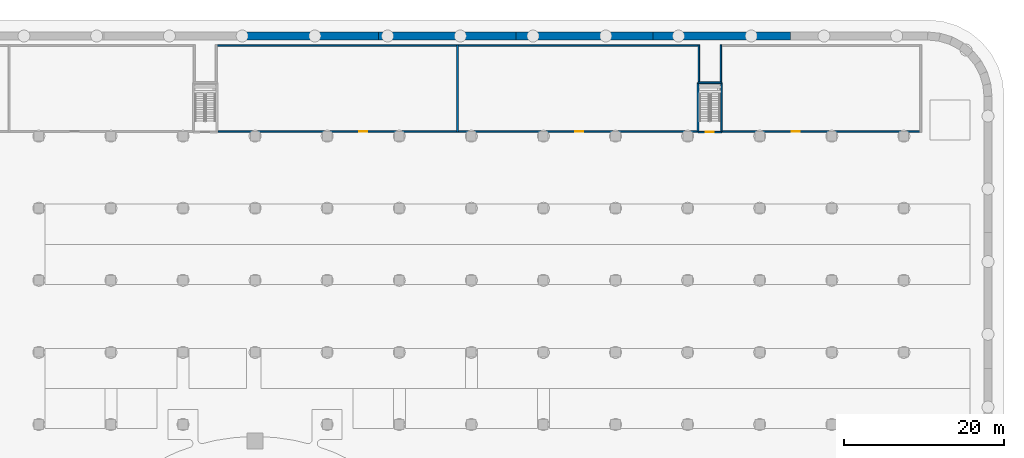
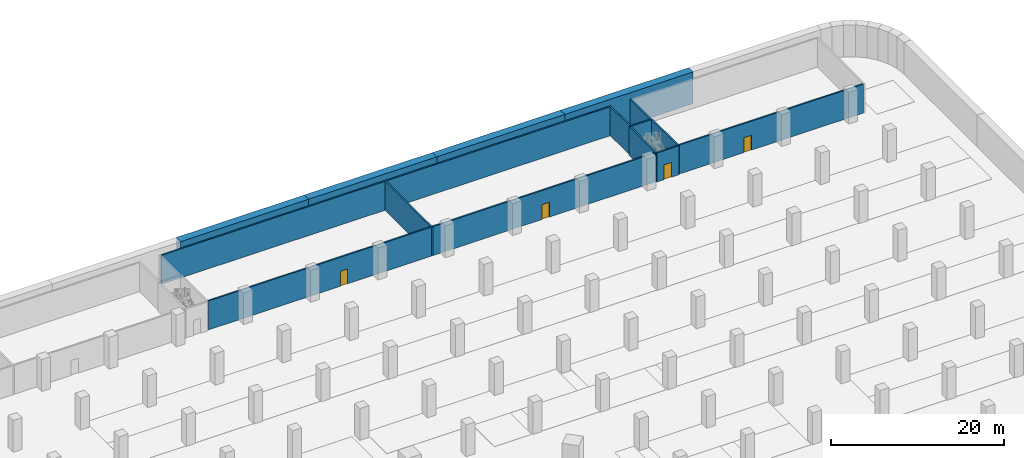
# One storey, part 22 of 39: 16 walls, 4 doors, 4 openings.
"""IFC4 building model written with IfcOpenShell, lengths in metres."""

from ifc_helpers import new_model, si_unit, direction, frame, frame_2d, origin, place, context, subcontext, project, spatial, rectangle, extrude, material, layer, layer_set, type_object, element, fill, save


model = new_model("IFC4")

# Units and contexts
model_context = context("Model", 3, precision=1e-05, world=origin(), true_north=direction((0.0, 1.0)))
body_context = subcontext(model_context, "Body", "Model", "MODEL_VIEW")
ifc_project = project(units=[si_unit("LENGTHUNIT", "METRE"), si_unit("AREAUNIT", "SQUARE_METRE"), si_unit("VOLUMEUNIT", "CUBIC_METRE"), si_unit("PLANEANGLEUNIT", "RADIAN"), si_unit("MASSUNIT", "GRAM", prefix="KILO")], contexts=[model_context])

# Site, building, storey
site_placement = place(None, origin())
site = spatial("IfcSite", under=ifc_project, at=site_placement, CompositionType="ELEMENT")
building_placement = place(site_placement, origin())
building = spatial("IfcBuilding", under=site, at=building_placement, Name="Ogive Gate Towers", CompositionType="ELEMENT")
storey_placement = place(building_placement, frame((0.0, 0.0, -9.0)))
storey = spatial("IfcBuildingStorey", under=building, at=storey_placement, Name="B2", CompositionType="ELEMENT", Elevation=-9.0)

# Wall, opening, door
ifc_material_1 = material(Name="Reinforced concrete C32/40", Category="concrete")
ifc_layer_1 = layer(ifc_material_1, 0.199951171875)
ifc_layer_set_1 = layer_set([ifc_layer_1], Name="Car park stair shaft wall 200")
wall_type_1 = type_object("IfcWallType", Name="Car park stair shaft wall 200", PredefinedType="SOLIDWALL", material=ifc_layer_set_1)
wall_1_placement = place(storey_placement, frame((94.25, 63.5, 0.0), z_axis=(0.0, 0.0, 1.0), x_axis=(-1.0, 0.0, 0.0)))
wall_1 = element("IfcWall", 1, at=wall_1_placement, inside=storey, type_object=wall_type_1, Name="CS4 stair shaft wall B2 1", PredefinedType="SOLIDWALL", context=body_context, shape_type="SweptSolid", body=[
    extrude(rectangle(XDim=2.949951171875, YDim=0.199951171875, at=frame_2d((1.47509765625, 0.0))), origin(), (0.0, 0.0, 1.0), 4.10009765625),
])
opening_1_placement = place(wall_1_placement, frame((0.97509765625, 0.0, 0.0)))
opening_1 = element("IfcOpeningElement", 2, at=opening_1_placement, cuts=wall_1, Name="Opening CPD34-B2", PredefinedType="OPENING", context=body_context, shape_type="SweptSolid", body=[
    extrude(rectangle(XDim=1.0, YDim=2.10009765625, at=frame_2d((0.5, 1.050048828125))), frame((0.0, 0.10986328125, 0.0), z_axis=(0.0, -1.0, 0.0), x_axis=(1.0, 0.0, 0.0)), (0.0, 0.0, 1.0), 0.219970703125),
])
ifc_material_2 = material(Name="Painted steel door", Category="steel")
door_type_1 = type_object("IfcDoorType", Name="Stair house door 1000 x 2100", OperationType="SINGLE_SWING_LEFT", PredefinedType="DOOR", material=ifc_material_2)
door_1_placement = place(opening_1_placement, origin())
door_1 = element("IfcDoor", 3, at=door_1_placement, inside=storey, type_object=door_type_1, Name="Door CS4 stair B2", OperationType="SINGLE_SWING_LEFT", OverallHeight=2.10009765625, OverallWidth=1.0, PredefinedType="DOOR", context=body_context, shape_type="SweptSolid", body=[
    extrude(rectangle(XDim=1.0, YDim=2.10009765625, at=frame_2d((0.5, 1.050048828125))), frame((0.0, 0.02490234375, 0.0), z_axis=(0.0, -1.0, 0.0), x_axis=(1.0, 0.0, 0.0)), (0.0, 0.0, 1.0), 0.050048828125),
])
fill(opening_1, door_1)

# Walls
wall_2_placement = place(storey_placement, frame((91.300048828125, 63.5, 0.0), z_axis=(0.0, 0.0, 1.0), x_axis=(0.0, 1.0, 0.0)))
element("IfcWall", 4, at=wall_2_placement, inside=storey, type_object=wall_type_1, Name="CS4 stair shaft wall B2 2", PredefinedType="SOLIDWALL", context=body_context, shape_type="SweptSolid", body=[
    extrude(rectangle(XDim=6.159912109375, YDim=0.199951171875, at=frame_2d((3.080078125, 0.0))), origin(), (0.0, 0.0, 1.0), 4.10009765625),
])
wall_3_placement = place(storey_placement, frame((91.300048828125, 69.659912109375, 0.0), z_axis=(0.0, 0.0, 1.0), x_axis=(1.0, 0.0, 0.0)))
element("IfcWall", 5, at=wall_3_placement, inside=storey, type_object=wall_type_1, Name="CS4 stair shaft wall B2 3", PredefinedType="SOLIDWALL", context=body_context, shape_type="SweptSolid", body=[
    extrude(rectangle(XDim=2.949951171875, YDim=0.199951171875, at=frame_2d((1.47509765625, 0.0))), origin(), (0.0, 0.0, 1.0), 4.10009765625),
])
wall_4_placement = place(storey_placement, frame((94.25, 69.659912109375, 0.0), z_axis=(0.0, 0.0, 1.0), x_axis=(0.0, -1.0, 0.0)))
element("IfcWall", 6, at=wall_4_placement, inside=storey, type_object=wall_type_1, Name="CS4 stair shaft wall B2 4", PredefinedType="SOLIDWALL", context=body_context, shape_type="SweptSolid", body=[
    extrude(rectangle(XDim=6.159912109375, YDim=0.199951171875, at=frame_2d((3.080078125, 0.0))), origin(), (0.0, 0.0, 1.0), 4.10009765625),
])
ifc_material_3 = material(Name="Blockwork", Category="masonry")
ifc_layer_2 = layer(ifc_material_3, 0.199951171875)
ifc_layer_set_2 = layer_set([ifc_layer_2], Name="Plant room wall 200")
wall_type_2 = type_object("IfcWallType", Name="Plant room wall 200", PredefinedType="PARTITIONING", material=ifc_layer_set_2)
wall_5_placement = place(storey_placement, frame((61.27490234375, 63.5, 0.0), z_axis=(0.0, 0.0, 1.0), x_axis=(0.0, 1.0, 0.0)))
element("IfcWall", 7, at=wall_5_placement, inside=storey, type_object=wall_type_2, Name="Plant room wall B2-011", PredefinedType="PARTITIONING", context=body_context, shape_type="SweptSolid", body=[
    extrude(rectangle(XDim=10.89990234375, YDim=0.199951171875, at=frame_2d((5.449951171875, 0.0))), origin(), (0.0, 0.0, 1.0), 4.10009765625),
])
for number, where, z_axis, x_axis, name in (
    (8, (91.39990234375, 69.780029296875, 0.0), (0.0, 0.0, 1.0), (0.0, 1.0, 0.0), "Plant room wall B2-012"),
    (9, (94.14990234375, 69.780029296875, 0.0), (0.0, 0.0, 1.0), (0.0, 1.0, 0.0), "Plant room wall B2-013"),
):
    element("IfcWall", number, at=place(storey_placement, frame(where, z_axis=z_axis, x_axis=x_axis)), inside=storey, type_object=wall_type_2, Name=name, PredefinedType="PARTITIONING", context=body_context, shape_type="SweptSolid", body=[
        extrude(rectangle(XDim=4.619873046875, YDim=0.199951171875, at=frame_2d((2.31005859375, 0.0))), origin(), (0.0, 0.0, 1.0), 4.10009765625),
    ])

# Wall, opening, door
wall_6_placement = place(storey_placement, frame((31.3701171875, 63.60009765625, 0.0), z_axis=(0.0, 0.0, 1.0), x_axis=(1.0, 0.0, 0.0)))
wall_6 = element("IfcWall", 10, at=wall_6_placement, inside=storey, type_object=wall_type_2, Name="Plant room wall B2-021", PredefinedType="PARTITIONING", context=body_context, shape_type="SweptSolid", body=[
    extrude(rectangle(XDim=29.804931640625, YDim=0.199951171875, at=frame_2d((14.90234375, 0.0))), origin(), (0.0, 0.0, 1.0), 4.10009765625),
])
opening_2_placement = place(wall_6_placement, frame((17.6298828125, 0.0, 0.0)))
opening_2 = element("IfcOpeningElement", 11, at=opening_2_placement, cuts=wall_6, Name="Opening CPD207", PredefinedType="OPENING", context=body_context, shape_type="SweptSolid", body=[
    extrude(rectangle(XDim=1.0, YDim=2.10009765625, at=frame_2d((0.5, 1.050048828125))), frame((0.0, 0.10986328125, 0.0), z_axis=(0.0, -1.0, 0.0), x_axis=(1.0, 0.0, 0.0)), (0.0, 0.0, 1.0), 0.219970703125),
])
door_type_2 = type_object("IfcDoorType", Name="Fire door 1000 x 2100", OperationType="SINGLE_SWING_LEFT", PredefinedType="DOOR", material=ifc_material_2)
door_2_placement = place(opening_2_placement, origin())
door_2 = element("IfcDoor", 12, at=door_2_placement, inside=storey, type_object=door_type_2, Name="Door CPD207", OperationType="SINGLE_SWING_LEFT", OverallHeight=2.10009765625, OverallWidth=1.0, PredefinedType="DOOR", context=body_context, shape_type="SweptSolid", body=[
    extrude(rectangle(XDim=1.0, YDim=2.10009765625, at=frame_2d((0.5, 1.050048828125))), frame((0.0, 0.02490234375, 0.0), z_axis=(0.0, -1.0, 0.0), x_axis=(1.0, 0.0, 0.0)), (0.0, 0.0, 1.0), 0.050048828125),
])
fill(opening_2, door_2)

wall_7_placement = place(storey_placement, frame((61.375, 63.60009765625, 0.0), z_axis=(0.0, 0.0, 1.0), x_axis=(1.0, 0.0, 0.0)))
wall_7 = element("IfcWall", 13, at=wall_7_placement, inside=storey, type_object=wall_type_2, Name="Plant room wall B2-022", PredefinedType="PARTITIONING", context=body_context, shape_type="SweptSolid", body=[
    extrude(rectangle(XDim=29.804931640625, YDim=0.199951171875, at=frame_2d((14.90234375, 0.0))), origin(), (0.0, 0.0, 1.0), 4.10009765625),
])
opening_3_placement = place(wall_7_placement, frame((14.625, 0.0, 0.0)))
opening_3 = element("IfcOpeningElement", 14, at=opening_3_placement, cuts=wall_7, Name="Opening CPD208", PredefinedType="OPENING", context=body_context, shape_type="SweptSolid", body=[
    extrude(rectangle(XDim=1.0, YDim=2.10009765625, at=frame_2d((0.5, 1.050048828125))), frame((0.0, 0.10986328125, 0.0), z_axis=(0.0, -1.0, 0.0), x_axis=(1.0, 0.0, 0.0)), (0.0, 0.0, 1.0), 0.219970703125),
])
door_3_placement = place(opening_3_placement, origin())
door_3 = element("IfcDoor", 15, at=door_3_placement, inside=storey, type_object=door_type_2, Name="Door CPD208", OperationType="SINGLE_SWING_RIGHT", OverallHeight=2.10009765625, OverallWidth=1.0, PredefinedType="DOOR", context=body_context, shape_type="SweptSolid", body=[
    extrude(rectangle(XDim=1.0, YDim=2.10009765625, at=frame_2d((0.5, 1.050048828125))), frame((0.0, 0.02490234375, 0.0), z_axis=(0.0, -1.0, 0.0), x_axis=(1.0, 0.0, 0.0)), (0.0, 0.0, 1.0), 0.050048828125),
])
fill(opening_3, door_3)

wall_8_placement = place(storey_placement, frame((94.3701171875, 63.60009765625, 0.0), z_axis=(0.0, 0.0, 1.0), x_axis=(1.0, 0.0, 0.0)))
wall_8 = element("IfcWall", 16, at=wall_8_placement, inside=storey, type_object=wall_type_2, Name="Plant room wall B2-023", PredefinedType="PARTITIONING", context=body_context, shape_type="SweptSolid", body=[
    extrude(rectangle(XDim=24.6298828125, YDim=0.199951171875, at=frame_2d((12.31494140625, 0.0))), origin(), (0.0, 0.0, 1.0), 4.10009765625),
])
opening_4_placement = place(wall_8_placement, frame((8.6298828125, 0.0, 0.0)))
opening_4 = element("IfcOpeningElement", 17, at=opening_4_placement, cuts=wall_8, Name="Opening CPD209", PredefinedType="OPENING", context=body_context, shape_type="SweptSolid", body=[
    extrude(rectangle(XDim=1.0, YDim=2.10009765625, at=frame_2d((0.5, 1.050048828125))), frame((0.0, 0.10986328125, 0.0), z_axis=(0.0, -1.0, 0.0), x_axis=(1.0, 0.0, 0.0)), (0.0, 0.0, 1.0), 0.219970703125),
])
door_4_placement = place(opening_4_placement, origin())
door_4 = element("IfcDoor", 18, at=door_4_placement, inside=storey, type_object=door_type_2, Name="Door CPD209", OperationType="SINGLE_SWING_LEFT", OverallHeight=2.10009765625, OverallWidth=1.0, PredefinedType="DOOR", context=body_context, shape_type="SweptSolid", body=[
    extrude(rectangle(XDim=1.0, YDim=2.10009765625, at=frame_2d((0.5, 1.050048828125))), frame((0.0, 0.02490234375, 0.0), z_axis=(0.0, -1.0, 0.0), x_axis=(1.0, 0.0, 0.0)), (0.0, 0.0, 1.0), 0.050048828125),
])
fill(opening_4, door_4)

# Walls
for number, where, z_axis, x_axis, name in (
    (19, (31.25, 74.300048828125, 0.0), (0.0, 0.0, 1.0), (1.0, 0.0, 0.0), "Plant room wall B2-030"),
    (20, (61.375, 74.300048828125, 0.0), (0.0, 0.0, 1.0), (1.0, 0.0, 0.0), "Plant room wall B2-031"),
):
    element("IfcWall", number, at=place(storey_placement, frame(where, z_axis=z_axis, x_axis=x_axis)), inside=storey, type_object=wall_type_2, Name=name, PredefinedType="PARTITIONING", context=body_context, shape_type="SweptSolid", body=[
        extrude(rectangle(XDim=29.925048828125, YDim=0.199951171875, at=frame_2d((14.96240234375, 0.0))), origin(), (0.0, 0.0, 1.0), 4.10009765625),
    ])
ifc_material_4 = material(Name="Concrete C40/50", Category="concrete")
ifc_layer_3 = layer(ifc_material_4, 1.0)
ifc_layer_set_3 = layer_set([ifc_layer_3], Name="Retaining wall 1000")
wall_type_3 = type_object("IfcWallType", Name="Retaining wall 1000", PredefinedType="SOLIDWALL", material=ifc_layer_set_3)
wall_9_placement = place(storey_placement, frame((34.27880859375, 75.5, 0.0), z_axis=(0.0, 0.0, 1.0), x_axis=(1.0, 0.0, 0.0)))
element("IfcWall", 21, at=wall_9_placement, inside=storey, type_object=wall_type_3, Name="BS/B2/SWL048", PredefinedType="SOLIDWALL", context=body_context, shape_type="SweptSolid", body=[
    extrude(rectangle(XDim=17.13916015625, YDim=1.0, at=frame_2d((8.569580078125, 0.0))), origin(), (0.0, 0.0, 1.0), 4.5),
])
for number, where, z_axis, x_axis, name in (
    (22, (51.41796875, 75.5, 0.0), (0.0, 0.0, 1.0), (1.0, 0.0, 0.0), "BS/B2/SWL049"),
    (23, (68.557373046875, 75.5, 0.0), (0.0, 0.0, 1.0), (1.0, 0.0, 0.0), "BS/B2/SWL050"),
    (24, (85.69677734375, 75.5, 0.0), (0.0, 0.0, 1.0), (1.0, 0.0, 0.0), "BS/B2/SWL051"),
):
    element("IfcWall", number, at=place(storey_placement, frame(where, z_axis=z_axis, x_axis=x_axis)), inside=storey, type_object=wall_type_3, Name=name, PredefinedType="SOLIDWALL", context=body_context, shape_type="SweptSolid", body=[
        extrude(rectangle(XDim=17.139404296875, YDim=1.0, at=frame_2d((8.56982421875, 0.0))), origin(), (0.0, 0.0, 1.0), 4.5),
    ])

save(model, "model.ifc")
